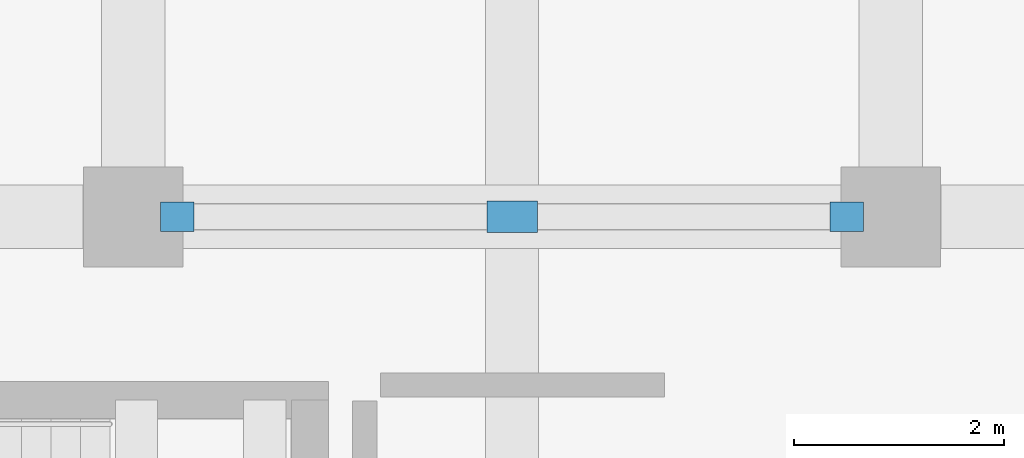
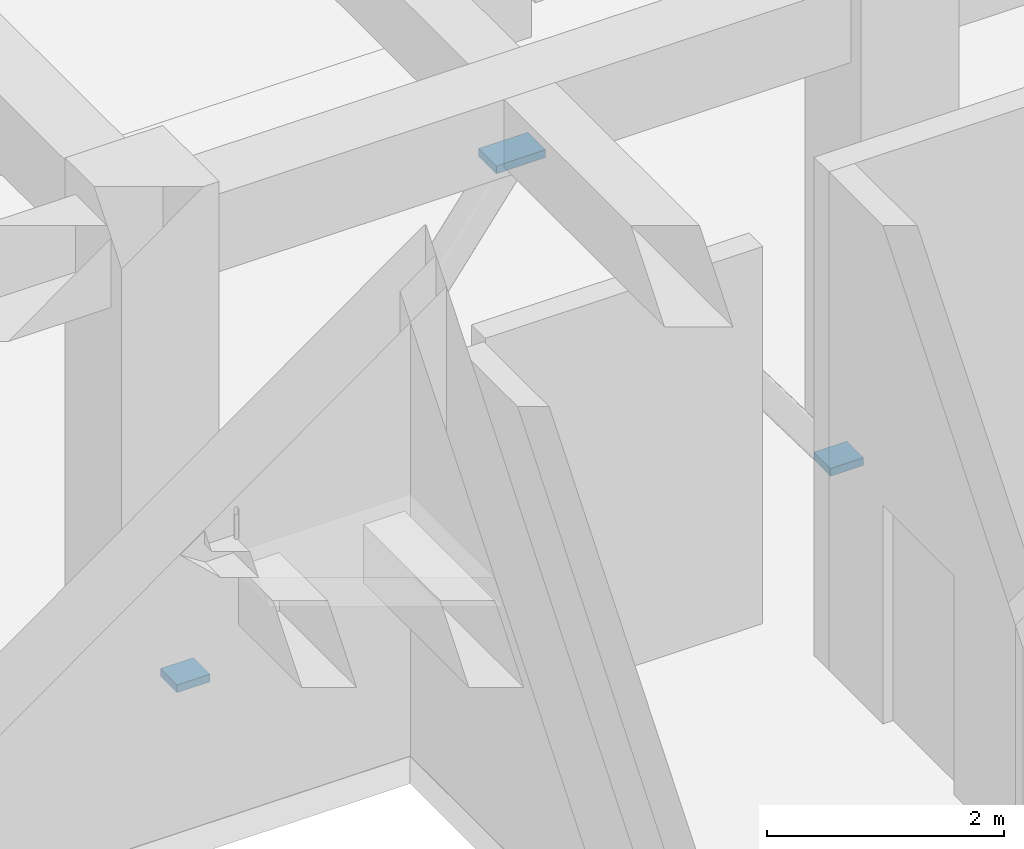
# One storey, part 47 of 56: 3 discrete accessories.
"""IFC4 building model written with IfcOpenShell, lengths in metres."""

from ifc_helpers import new_model, si_unit, direction, frame, origin, origin_2d, place, context, subcontext, project, spatial, rectangle, extrude, material, type_object, element, save


model = new_model("IFC4")

# Units and contexts
model_context = context("Model", 3, precision=1e-05, world=origin(), true_north=direction((0.0, 1.0)))
body_context = subcontext(model_context, "Body", "Model", "MODEL_VIEW")
ifc_project = project(units=[si_unit("LENGTHUNIT", "METRE"), si_unit("AREAUNIT", "SQUARE_METRE"), si_unit("VOLUMEUNIT", "CUBIC_METRE"), si_unit("PLANEANGLEUNIT", "RADIAN"), si_unit("MASSUNIT", "GRAM", prefix="KILO")], contexts=[model_context])

# Site, building, storey
site_placement = place(None, origin())
site = spatial("IfcSite", under=ifc_project, at=site_placement, CompositionType="ELEMENT")
building_placement = place(site_placement, origin())
building = spatial("IfcBuilding", under=site, at=building_placement, Name="Kazehaya Institute of Natural Sciences", CompositionType="ELEMENT")
storey_placement = place(building_placement, origin())
storey = spatial("IfcBuildingStorey", under=building, at=storey_placement, Name="L00", CompositionType="ELEMENT", Elevation=0.0)

# Discrete accessories
ifc_material = material(Name="Structural steel SN490B", Category="steel")
discrete_accessory_type = type_object("IfcDiscreteAccessoryType", Name="ACC-STL-CAP", PredefinedType="BRACKET", material=ifc_material)
for number, where, z_axis, x_axis, name in (
    (1, (69.419921875, 28.39990234375, 0.010009765625), (0.0, 0.0, 1.0), (1.0, 0.0, 0.0), "L00 brace base gusset end plate 1"),
    (2, (75.780029296875, 28.39990234375, 0.010009765625), (0.0, 0.0, 1.0), (1.0, 0.0, 0.0), "L00 brace base gusset end plate 2"),
):
    element("IfcDiscreteAccessory", number, at=place(storey_placement, frame(where, z_axis=z_axis, x_axis=x_axis)), inside=storey, type_object=discrete_accessory_type, Name=name, PredefinedType="BRACKET", context=body_context, shape_type="SweptSolid", body=[
        extrude(rectangle(XDim=0.320068359375, YDim=0.280029296875, at=origin_2d()), origin(), (0.0, 0.0, 1.0), 0.080078125),
    ])
discrete_accessory_placement = place(storey_placement, frame((72.60009765625, 28.39990234375, 4.27001953125), z_axis=(0.0, 0.0, 1.0), x_axis=(1.0, 0.0, 0.0)))
element("IfcDiscreteAccessory", 3, at=discrete_accessory_placement, inside=storey, type_object=discrete_accessory_type, Name="L00 chevron brace apex gusset plate", PredefinedType="BRACKET", context=body_context, shape_type="SweptSolid", body=[
    extrude(rectangle(XDim=0.47998046875, YDim=0.300048828125, at=origin_2d()), origin(), (0.0, 0.0, 1.0), 0.080078125),
])

save(model, "model.ifc")
